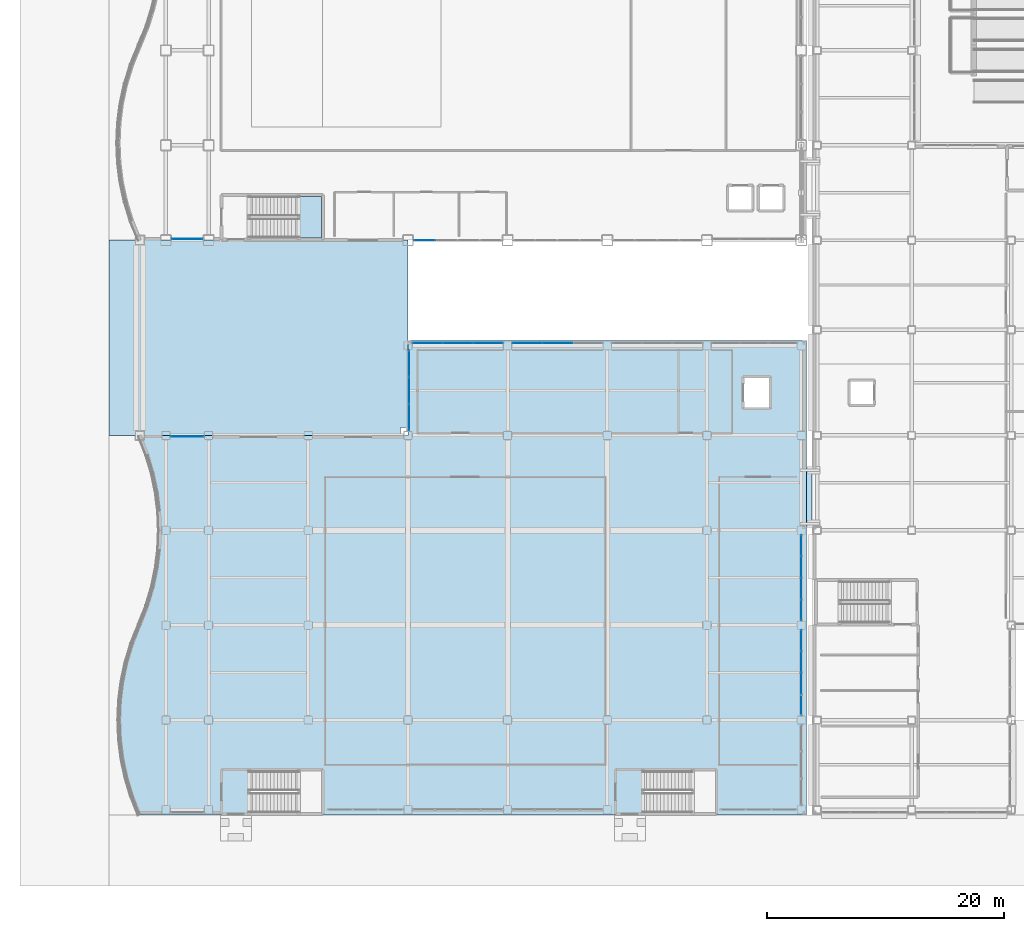
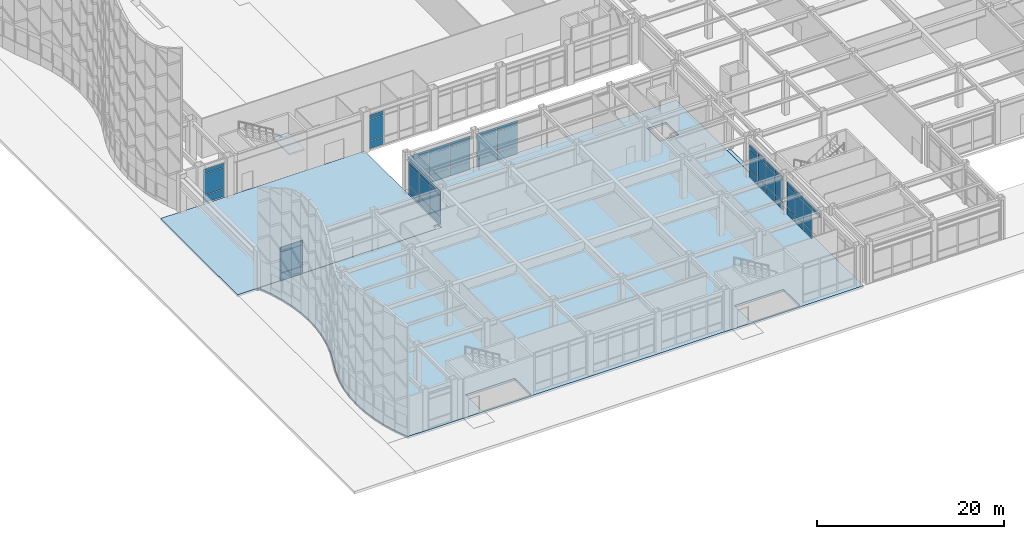
# One storey, part 110 of 165: 55 plates, 4 slabs, 9 elements without a shape of their own.
"""IFC4 building model written with IfcOpenShell, lengths in metres."""

from ifc_helpers import new_model, si_unit, direction, frame, origin, origin_2d, place, context, subcontext, project, spatial, polyline, rectangle, outline, extrude, material, layer, layer_set, type_object, element, aggregate, save


model = new_model("IFC4")

# Units and contexts
model_context = context("Model", 3, precision=1e-05, world=origin(), true_north=direction((0.0, 1.0)))
body_context = subcontext(model_context, "Body", "Model", "MODEL_VIEW")
ifc_project = project(units=[si_unit("LENGTHUNIT", "METRE"), si_unit("AREAUNIT", "SQUARE_METRE"), si_unit("VOLUMEUNIT", "CUBIC_METRE"), si_unit("PLANEANGLEUNIT", "RADIAN"), si_unit("MASSUNIT", "GRAM", prefix="KILO")], contexts=[model_context])

# Site, building, storey
site_placement = place(None, origin())
site = spatial("IfcSite", under=ifc_project, at=site_placement, CompositionType="ELEMENT")
building_placement = place(site_placement, origin())
building = spatial("IfcBuilding", under=site, at=building_placement, Name="Kazehara Bluff Congress Hotel", CompositionType="ELEMENT")
storey_placement = place(building_placement, origin())
storey = spatial("IfcBuildingStorey", under=building, at=storey_placement, Name="L00", CompositionType="ELEMENT", Elevation=0.0)

# Curtain wall, plates
ifc_material_1 = material(Name="Anodised aluminium", Category="aluminium")
ifc_layer_1 = layer(ifc_material_1, 0.159912109375)
ifc_layer_set_1 = layer_set([ifc_layer_1], Name="Anodised aluminium")
curtain_wall_type_1 = type_object("IfcCurtainWallType", Name="TP-CW-16", PredefinedType="NOTDEFINED", material=ifc_layer_set_1)
curtain_wall_1_placement = place(storey_placement, origin())
curtain_wall_1 = element("IfcCurtainWall", 1, at=curtain_wall_1_placement, inside=storey, type_object=curtain_wall_type_1, Name="L00 curtain wall CW-16 CW-V1-L00-Y4845-2565", PredefinedType="NOTDEFINED")
ifc_material_2 = material(Name="Insulated low-E double glazing", Category="glass")
ifc_layer_2 = layer(ifc_material_2, 0.031982421875)
ifc_layer_set_2 = layer_set([ifc_layer_2], Name="Insulated low-E double glazing")
plate_type = type_object("IfcPlateType", Name="TP-CWP-02", PredefinedType="CURTAIN_PANEL", material=ifc_layer_set_2)
plate_1_placement = place(storey_placement, frame((26.60498046875, 48.449951171875, 0.06494140625), z_axis=(0.0, 0.0, 1.0), x_axis=(1.0, 0.0, 0.0)))
plate_1 = element("IfcPlate", 2, at=plate_1_placement, type_object=plate_type, Name="CW-16 panel 1.1", PredefinedType="CURTAIN_PANEL", context=body_context, shape_type="SweptSolid", body=[
    extrude(rectangle(XDim=1.77001953125, YDim=0.031982421875, at=origin_2d()), origin(), (0.0, 0.0, 1.0), 0.952392578125),
])
plate_2_placement = place(storey_placement, frame((26.60498046875, 48.449951171875, 1.08251953125), z_axis=(0.0, 0.0, 1.0), x_axis=(1.0, 0.0, 0.0)))
plate_2 = element("IfcPlate", 3, at=plate_2_placement, type_object=plate_type, Name="CW-16 panel 1.2", PredefinedType="CURTAIN_PANEL", context=body_context, shape_type="SweptSolid", body=[
    extrude(rectangle(XDim=1.77001953125, YDim=0.031982421875, at=origin_2d()), origin(), (0.0, 0.0, 1.0), 2.760009765625),
])
plate_3_placement = place(storey_placement, frame((26.60498046875, 48.449951171875, 3.90771484375), z_axis=(0.0, 0.0, 1.0), x_axis=(1.0, 0.0, 0.0)))
plate_3 = element("IfcPlate", 4, at=plate_3_placement, type_object=plate_type, Name="CW-16 panel 1.3", PredefinedType="CURTAIN_PANEL", context=body_context, shape_type="SweptSolid", body=[
    extrude(rectangle(XDim=1.77001953125, YDim=0.031982421875, at=origin_2d()), origin(), (0.0, 0.0, 1.0), 0.552490234375),
])
aggregate(curtain_wall_1, [plate_1, plate_2, plate_3])

ifc_material_3 = material(Name="Anodised aluminium", Category="aluminium")
ifc_layer_3 = layer(ifc_material_3, 0.159912109375)
ifc_layer_set_3 = layer_set([ifc_layer_3], Name="Anodised aluminium")
curtain_wall_type_2 = type_object("IfcCurtainWallType", Name="TP-CW-32", PredefinedType="NOTDEFINED", material=ifc_layer_set_3)
curtain_wall_2_placement = place(storey_placement, origin())
curtain_wall_2 = element("IfcCurtainWall", 5, at=curtain_wall_2_placement, inside=storey, type_object=curtain_wall_type_2, Name="L00 curtain wall CW-32 CW-V2-L00-X5835-835", PredefinedType="NOTDEFINED")
plate_4_placement = place(storey_placement, frame((58.35009765625, 9.280029296875, 3.857421875), z_axis=(0.0, 0.0, 1.0), x_axis=(0.0, 1.0, 0.0)))
plate_4 = element("IfcPlate", 6, at=plate_4_placement, type_object=plate_type, Name="CW-32 panel 1.3", PredefinedType="CURTAIN_PANEL", context=body_context, shape_type="SweptSolid", body=[
    extrude(rectangle(XDim=1.719970703125, YDim=0.031982421875, at=origin_2d()), origin(), (0.0, 0.0, 1.0), 0.552490234375),
])
plate_5_placement = place(storey_placement, frame((58.35009765625, 11.08740234375, 0.06494140625), z_axis=(0.0, 0.0, 1.0), x_axis=(0.0, 1.0, 0.0)))
plate_5 = element("IfcPlate", 7, at=plate_5_placement, type_object=plate_type, Name="CW-32 panel 2.1", PredefinedType="CURTAIN_PANEL", context=body_context, shape_type="SweptSolid", body=[
    extrude(rectangle(XDim=1.7548828125, YDim=0.031982421875, at=origin_2d()), origin(), (0.0, 0.0, 1.0), 0.952392578125),
])
plate_6_placement = place(storey_placement, frame((58.35009765625, 11.08740234375, 1.08251953125), z_axis=(0.0, 0.0, 1.0), x_axis=(0.0, 1.0, 0.0)))
plate_6 = element("IfcPlate", 8, at=plate_6_placement, type_object=plate_type, Name="CW-32 panel 2.2", PredefinedType="CURTAIN_PANEL", context=body_context, shape_type="SweptSolid", body=[
    extrude(rectangle(XDim=1.7548828125, YDim=0.031982421875, at=origin_2d()), origin(), (0.0, 0.0, 1.0), 2.7099609375),
])
plate_7_placement = place(storey_placement, frame((58.35009765625, 11.08740234375, 3.857421875), z_axis=(0.0, 0.0, 1.0), x_axis=(0.0, 1.0, 0.0)))
plate_7 = element("IfcPlate", 9, at=plate_7_placement, type_object=plate_type, Name="CW-32 panel 2.3", PredefinedType="CURTAIN_PANEL", context=body_context, shape_type="SweptSolid", body=[
    extrude(rectangle(XDim=1.7548828125, YDim=0.031982421875, at=origin_2d()), origin(), (0.0, 0.0, 1.0), 0.552490234375),
])
plate_8_placement = place(storey_placement, frame((58.35009765625, 12.91259765625, 0.06494140625), z_axis=(0.0, 0.0, 1.0), x_axis=(0.0, 1.0, 0.0)))
plate_8 = element("IfcPlate", 10, at=plate_8_placement, type_object=plate_type, Name="CW-32 panel 3.1", PredefinedType="CURTAIN_PANEL", context=body_context, shape_type="SweptSolid", body=[
    extrude(rectangle(XDim=1.7548828125, YDim=0.031982421875, at=origin_2d()), origin(), (0.0, 0.0, 1.0), 0.952392578125),
])
plate_9_placement = place(storey_placement, frame((58.35009765625, 12.91259765625, 1.08251953125), z_axis=(0.0, 0.0, 1.0), x_axis=(0.0, 1.0, 0.0)))
plate_9 = element("IfcPlate", 11, at=plate_9_placement, type_object=plate_type, Name="CW-32 panel 3.2", PredefinedType="CURTAIN_PANEL", context=body_context, shape_type="SweptSolid", body=[
    extrude(rectangle(XDim=1.7548828125, YDim=0.031982421875, at=origin_2d()), origin(), (0.0, 0.0, 1.0), 2.7099609375),
])
plate_10_placement = place(storey_placement, frame((58.35009765625, 12.91259765625, 3.857421875), z_axis=(0.0, 0.0, 1.0), x_axis=(0.0, 1.0, 0.0)))
plate_10 = element("IfcPlate", 12, at=plate_10_placement, type_object=plate_type, Name="CW-32 panel 3.3", PredefinedType="CURTAIN_PANEL", context=body_context, shape_type="SweptSolid", body=[
    extrude(rectangle(XDim=1.7548828125, YDim=0.031982421875, at=origin_2d()), origin(), (0.0, 0.0, 1.0), 0.552490234375),
])
plate_11_placement = place(storey_placement, frame((58.35009765625, 14.719970703125, 0.06494140625), z_axis=(0.0, 0.0, 1.0), x_axis=(0.0, 1.0, 0.0)))
plate_11 = element("IfcPlate", 13, at=plate_11_placement, type_object=plate_type, Name="CW-32 panel 4.1", PredefinedType="CURTAIN_PANEL", context=body_context, shape_type="SweptSolid", body=[
    extrude(rectangle(XDim=1.719970703125, YDim=0.031982421875, at=origin_2d()), origin(), (0.0, 0.0, 1.0), 0.952392578125),
])
plate_12_placement = place(storey_placement, frame((58.35009765625, 14.719970703125, 1.08251953125), z_axis=(0.0, 0.0, 1.0), x_axis=(0.0, 1.0, 0.0)))
plate_12 = element("IfcPlate", 14, at=plate_12_placement, type_object=plate_type, Name="CW-32 panel 4.2", PredefinedType="CURTAIN_PANEL", context=body_context, shape_type="SweptSolid", body=[
    extrude(rectangle(XDim=1.719970703125, YDim=0.031982421875, at=origin_2d()), origin(), (0.0, 0.0, 1.0), 2.7099609375),
])
plate_13_placement = place(storey_placement, frame((58.35009765625, 14.719970703125, 3.857421875), z_axis=(0.0, 0.0, 1.0), x_axis=(0.0, 1.0, 0.0)))
plate_13 = element("IfcPlate", 15, at=plate_13_placement, type_object=plate_type, Name="CW-32 panel 4.3", PredefinedType="CURTAIN_PANEL", context=body_context, shape_type="SweptSolid", body=[
    extrude(rectangle(XDim=1.719970703125, YDim=0.031982421875, at=origin_2d()), origin(), (0.0, 0.0, 1.0), 0.552490234375),
])
aggregate(curtain_wall_2, [plate_4, plate_5, plate_6, plate_7, plate_8, plate_9, plate_10, plate_11, plate_12, plate_13])

curtain_wall_3_placement = place(storey_placement, origin())
curtain_wall_3 = element("IfcCurtainWall", 16, at=curtain_wall_3_placement, inside=storey, type_object=curtain_wall_type_2, Name="L00 curtain wall CW-32 CW-V2-L00-X5835-1635", PredefinedType="NOTDEFINED")
plate_14_placement = place(storey_placement, frame((58.35009765625, 17.280029296875, 0.06494140625), z_axis=(0.0, 0.0, 1.0), x_axis=(0.0, 1.0, 0.0)))
plate_14 = element("IfcPlate", 17, at=plate_14_placement, type_object=plate_type, Name="CW-32 panel 1.1", PredefinedType="CURTAIN_PANEL", context=body_context, shape_type="SweptSolid", body=[
    extrude(rectangle(XDim=1.719970703125, YDim=0.031982421875, at=origin_2d()), origin(), (0.0, 0.0, 1.0), 0.952392578125),
])
plate_15_placement = place(storey_placement, frame((58.35009765625, 17.280029296875, 1.08251953125), z_axis=(0.0, 0.0, 1.0), x_axis=(0.0, 1.0, 0.0)))
plate_15 = element("IfcPlate", 18, at=plate_15_placement, type_object=plate_type, Name="CW-32 panel 1.2", PredefinedType="CURTAIN_PANEL", context=body_context, shape_type="SweptSolid", body=[
    extrude(rectangle(XDim=1.719970703125, YDim=0.031982421875, at=origin_2d()), origin(), (0.0, 0.0, 1.0), 2.7099609375),
])
plate_16_placement = place(storey_placement, frame((58.35009765625, 17.280029296875, 3.857421875), z_axis=(0.0, 0.0, 1.0), x_axis=(0.0, 1.0, 0.0)))
plate_16 = element("IfcPlate", 19, at=plate_16_placement, type_object=plate_type, Name="CW-32 panel 1.3", PredefinedType="CURTAIN_PANEL", context=body_context, shape_type="SweptSolid", body=[
    extrude(rectangle(XDim=1.719970703125, YDim=0.031982421875, at=origin_2d()), origin(), (0.0, 0.0, 1.0), 0.552490234375),
])
plate_17_placement = place(storey_placement, frame((58.35009765625, 19.08740234375, 0.06494140625), z_axis=(0.0, 0.0, 1.0), x_axis=(0.0, 1.0, 0.0)))
plate_17 = element("IfcPlate", 20, at=plate_17_placement, type_object=plate_type, Name="CW-32 panel 2.1", PredefinedType="CURTAIN_PANEL", context=body_context, shape_type="SweptSolid", body=[
    extrude(rectangle(XDim=1.7548828125, YDim=0.031982421875, at=origin_2d()), origin(), (0.0, 0.0, 1.0), 0.952392578125),
])
plate_18_placement = place(storey_placement, frame((58.35009765625, 19.08740234375, 1.08251953125), z_axis=(0.0, 0.0, 1.0), x_axis=(0.0, 1.0, 0.0)))
plate_18 = element("IfcPlate", 21, at=plate_18_placement, type_object=plate_type, Name="CW-32 panel 2.2", PredefinedType="CURTAIN_PANEL", context=body_context, shape_type="SweptSolid", body=[
    extrude(rectangle(XDim=1.7548828125, YDim=0.031982421875, at=origin_2d()), origin(), (0.0, 0.0, 1.0), 2.7099609375),
])
plate_19_placement = place(storey_placement, frame((58.35009765625, 19.08740234375, 3.857421875), z_axis=(0.0, 0.0, 1.0), x_axis=(0.0, 1.0, 0.0)))
plate_19 = element("IfcPlate", 22, at=plate_19_placement, type_object=plate_type, Name="CW-32 panel 2.3", PredefinedType="CURTAIN_PANEL", context=body_context, shape_type="SweptSolid", body=[
    extrude(rectangle(XDim=1.7548828125, YDim=0.031982421875, at=origin_2d()), origin(), (0.0, 0.0, 1.0), 0.552490234375),
])
plate_20_placement = place(storey_placement, frame((58.35009765625, 20.91259765625, 0.06494140625), z_axis=(0.0, 0.0, 1.0), x_axis=(0.0, 1.0, 0.0)))
plate_20 = element("IfcPlate", 23, at=plate_20_placement, type_object=plate_type, Name="CW-32 panel 3.1", PredefinedType="CURTAIN_PANEL", context=body_context, shape_type="SweptSolid", body=[
    extrude(rectangle(XDim=1.7548828125, YDim=0.031982421875, at=origin_2d()), origin(), (0.0, 0.0, 1.0), 0.952392578125),
])
plate_21_placement = place(storey_placement, frame((58.35009765625, 20.91259765625, 1.08251953125), z_axis=(0.0, 0.0, 1.0), x_axis=(0.0, 1.0, 0.0)))
plate_21 = element("IfcPlate", 24, at=plate_21_placement, type_object=plate_type, Name="CW-32 panel 3.2", PredefinedType="CURTAIN_PANEL", context=body_context, shape_type="SweptSolid", body=[
    extrude(rectangle(XDim=1.7548828125, YDim=0.031982421875, at=origin_2d()), origin(), (0.0, 0.0, 1.0), 2.7099609375),
])
plate_22_placement = place(storey_placement, frame((58.35009765625, 20.91259765625, 3.857421875), z_axis=(0.0, 0.0, 1.0), x_axis=(0.0, 1.0, 0.0)))
plate_22 = element("IfcPlate", 25, at=plate_22_placement, type_object=plate_type, Name="CW-32 panel 3.3", PredefinedType="CURTAIN_PANEL", context=body_context, shape_type="SweptSolid", body=[
    extrude(rectangle(XDim=1.7548828125, YDim=0.031982421875, at=origin_2d()), origin(), (0.0, 0.0, 1.0), 0.552490234375),
])
plate_23_placement = place(storey_placement, frame((58.35009765625, 22.719970703125, 0.06494140625), z_axis=(0.0, 0.0, 1.0), x_axis=(0.0, 1.0, 0.0)))
plate_23 = element("IfcPlate", 26, at=plate_23_placement, type_object=plate_type, Name="CW-32 panel 4.1", PredefinedType="CURTAIN_PANEL", context=body_context, shape_type="SweptSolid", body=[
    extrude(rectangle(XDim=1.719970703125, YDim=0.031982421875, at=origin_2d()), origin(), (0.0, 0.0, 1.0), 0.952392578125),
])
plate_24_placement = place(storey_placement, frame((58.35009765625, 22.719970703125, 1.08251953125), z_axis=(0.0, 0.0, 1.0), x_axis=(0.0, 1.0, 0.0)))
plate_24 = element("IfcPlate", 27, at=plate_24_placement, type_object=plate_type, Name="CW-32 panel 4.2", PredefinedType="CURTAIN_PANEL", context=body_context, shape_type="SweptSolid", body=[
    extrude(rectangle(XDim=1.719970703125, YDim=0.031982421875, at=origin_2d()), origin(), (0.0, 0.0, 1.0), 2.7099609375),
])
plate_25_placement = place(storey_placement, frame((58.35009765625, 22.719970703125, 3.857421875), z_axis=(0.0, 0.0, 1.0), x_axis=(0.0, 1.0, 0.0)))
plate_25 = element("IfcPlate", 28, at=plate_25_placement, type_object=plate_type, Name="CW-32 panel 4.3", PredefinedType="CURTAIN_PANEL", context=body_context, shape_type="SweptSolid", body=[
    extrude(rectangle(XDim=1.719970703125, YDim=0.031982421875, at=origin_2d()), origin(), (0.0, 0.0, 1.0), 0.552490234375),
])
aggregate(curtain_wall_3, [plate_14, plate_15, plate_16, plate_17, plate_18, plate_19, plate_20, plate_21, plate_22, plate_23, plate_24, plate_25])

ifc_material_4 = material(Name="Anodised aluminium", Category="aluminium")
ifc_layer_4 = layer(ifc_material_4, 0.159912109375)
ifc_layer_set_4 = layer_set([ifc_layer_4], Name="Anodised aluminium")
curtain_wall_type_3 = type_object("IfcCurtainWallType", Name="TP-CW-95", PredefinedType="NOTDEFINED", material=ifc_layer_set_4)
curtain_wall_4_placement = place(storey_placement, origin())
curtain_wall_4 = element("IfcCurtainWall", 29, at=curtain_wall_4_placement, inside=storey, type_object=curtain_wall_type_3, Name="L00 curtain wall CW-95 CW-ENC-V1-L00-660-4855", PredefinedType="NOTDEFINED")
plate_26_placement = place(storey_placement, frame((6.60009765625, 48.550048828125, 0.06005859375), z_axis=(0.0, 0.0, 1.0), x_axis=(-1.0, 0.0, 0.0)))
plate_26 = element("IfcPlate", 30, at=plate_26_placement, type_object=plate_type, Name="CW-95 panel 1.1", PredefinedType="CURTAIN_PANEL", context=body_context, shape_type="SweptSolid", body=[
    extrude(rectangle(XDim=2.56005859375, YDim=0.031982421875, at=origin_2d()), origin(), (0.0, 0.0, 1.0), 0.9599609375),
])
plate_27_placement = place(storey_placement, frame((6.60009765625, 48.550048828125, 1.080078125), z_axis=(0.0, 0.0, 1.0), x_axis=(-1.0, 0.0, 0.0)))
plate_27 = element("IfcPlate", 31, at=plate_27_placement, type_object=plate_type, Name="CW-95 panel 1.2", PredefinedType="CURTAIN_PANEL", context=body_context, shape_type="SweptSolid", body=[
    extrude(rectangle(XDim=2.56005859375, YDim=0.031982421875, at=origin_2d()), origin(), (0.0, 0.0, 1.0), 2.764892578125),
])
plate_28_placement = place(storey_placement, frame((6.60009765625, 48.550048828125, 3.905029296875), z_axis=(0.0, 0.0, 1.0), x_axis=(-1.0, 0.0, 0.0)))
plate_28 = element("IfcPlate", 32, at=plate_28_placement, type_object=plate_type, Name="CW-95 panel 1.3", PredefinedType="CURTAIN_PANEL", context=body_context, shape_type="SweptSolid", body=[
    extrude(rectangle(XDim=2.56005859375, YDim=0.031982421875, at=origin_2d()), origin(), (0.0, 0.0, 1.0), 0.56005859375),
])
aggregate(curtain_wall_4, [plate_26, plate_27, plate_28])

ifc_material_5 = material(Name="Anodised aluminium", Category="aluminium")
ifc_layer_5 = layer(ifc_material_5, 0.159912109375)
ifc_layer_set_5 = layer_set([ifc_layer_5], Name="Anodised aluminium")
curtain_wall_type_4 = type_object("IfcCurtainWallType", Name="TP-CW-26", PredefinedType="NOTDEFINED", material=ifc_layer_set_5)
curtain_wall_5_placement = place(storey_placement, origin())
curtain_wall_5 = element("IfcCurtainWall", 33, at=curtain_wall_5_placement, inside=storey, type_object=curtain_wall_type_4, Name="L00 curtain wall CW-26 CW-ENC-V2-L00-2940-3978", PredefinedType="NOTDEFINED")
plate_29_placement = place(storey_placement, frame((26.850830078125, 39.780029296875, 0.06494140625), z_axis=(0.0, 0.0, 1.0), x_axis=(1.0, 0.0, 0.0)))
plate_29 = element("IfcPlate", 34, at=plate_29_placement, type_object=plate_type, Name="CW-26 panel 1.1", PredefinedType="CURTAIN_PANEL", context=body_context, shape_type="SweptSolid", body=[
    extrude(rectangle(XDim=2.461669921875, YDim=0.031982421875, at=origin_2d()), origin(), (0.0, 0.0, 1.0), 0.952392578125),
])
plate_30_placement = place(storey_placement, frame((26.850830078125, 39.780029296875, 1.08251953125), z_axis=(0.0, 0.0, 1.0), x_axis=(1.0, 0.0, 0.0)))
plate_30 = element("IfcPlate", 35, at=plate_30_placement, type_object=plate_type, Name="CW-26 panel 1.2", PredefinedType="CURTAIN_PANEL", context=body_context, shape_type="SweptSolid", body=[
    extrude(rectangle(XDim=2.461669921875, YDim=0.031982421875, at=origin_2d()), origin(), (0.0, 0.0, 1.0), 2.7099609375),
])
plate_31_placement = place(storey_placement, frame((26.850830078125, 39.780029296875, 3.857421875), z_axis=(0.0, 0.0, 1.0), x_axis=(1.0, 0.0, 0.0)))
plate_31 = element("IfcPlate", 36, at=plate_31_placement, type_object=plate_type, Name="CW-26 panel 1.3", PredefinedType="CURTAIN_PANEL", context=body_context, shape_type="SweptSolid", body=[
    extrude(rectangle(XDim=2.461669921875, YDim=0.031982421875, at=origin_2d()), origin(), (0.0, 0.0, 1.0), 0.552490234375),
])
plate_32_placement = place(storey_placement, frame((29.39990234375, 39.780029296875, 0.06494140625), z_axis=(0.0, 0.0, 1.0), x_axis=(1.0, 0.0, 0.0)))
plate_32 = element("IfcPlate", 37, at=plate_32_placement, type_object=plate_type, Name="CW-26 panel 2.1", PredefinedType="CURTAIN_PANEL", context=body_context, shape_type="SweptSolid", body=[
    extrude(rectangle(XDim=2.49658203125, YDim=0.031982421875, at=origin_2d()), origin(), (0.0, 0.0, 1.0), 0.952392578125),
])
plate_33_placement = place(storey_placement, frame((29.39990234375, 39.780029296875, 1.08251953125), z_axis=(0.0, 0.0, 1.0), x_axis=(1.0, 0.0, 0.0)))
plate_33 = element("IfcPlate", 38, at=plate_33_placement, type_object=plate_type, Name="CW-26 panel 2.2", PredefinedType="CURTAIN_PANEL", context=body_context, shape_type="SweptSolid", body=[
    extrude(rectangle(XDim=2.49658203125, YDim=0.031982421875, at=origin_2d()), origin(), (0.0, 0.0, 1.0), 2.7099609375),
])
plate_34_placement = place(storey_placement, frame((29.39990234375, 39.780029296875, 3.857421875), z_axis=(0.0, 0.0, 1.0), x_axis=(1.0, 0.0, 0.0)))
plate_34 = element("IfcPlate", 39, at=plate_34_placement, type_object=plate_type, Name="CW-26 panel 2.3", PredefinedType="CURTAIN_PANEL", context=body_context, shape_type="SweptSolid", body=[
    extrude(rectangle(XDim=2.49658203125, YDim=0.031982421875, at=origin_2d()), origin(), (0.0, 0.0, 1.0), 0.552490234375),
])
plate_35_placement = place(storey_placement, frame((31.94921875, 39.780029296875, 0.06494140625), z_axis=(0.0, 0.0, 1.0), x_axis=(1.0, 0.0, 0.0)))
plate_35 = element("IfcPlate", 40, at=plate_35_placement, type_object=plate_type, Name="CW-26 panel 3.1", PredefinedType="CURTAIN_PANEL", context=body_context, shape_type="SweptSolid", body=[
    extrude(rectangle(XDim=2.461669921875, YDim=0.031982421875, at=origin_2d()), origin(), (0.0, 0.0, 1.0), 0.952392578125),
])
plate_36_placement = place(storey_placement, frame((31.94921875, 39.780029296875, 1.08251953125), z_axis=(0.0, 0.0, 1.0), x_axis=(1.0, 0.0, 0.0)))
plate_36 = element("IfcPlate", 41, at=plate_36_placement, type_object=plate_type, Name="CW-26 panel 3.2", PredefinedType="CURTAIN_PANEL", context=body_context, shape_type="SweptSolid", body=[
    extrude(rectangle(XDim=2.461669921875, YDim=0.031982421875, at=origin_2d()), origin(), (0.0, 0.0, 1.0), 2.7099609375),
])
plate_37_placement = place(storey_placement, frame((31.94921875, 39.780029296875, 3.857421875), z_axis=(0.0, 0.0, 1.0), x_axis=(1.0, 0.0, 0.0)))
plate_37 = element("IfcPlate", 42, at=plate_37_placement, type_object=plate_type, Name="CW-26 panel 3.3", PredefinedType="CURTAIN_PANEL", context=body_context, shape_type="SweptSolid", body=[
    extrude(rectangle(XDim=2.461669921875, YDim=0.031982421875, at=origin_2d()), origin(), (0.0, 0.0, 1.0), 0.552490234375),
])
aggregate(curtain_wall_5, [plate_29, plate_30, plate_31, plate_32, plate_33, plate_34, plate_35, plate_36, plate_37])

curtain_wall_6_placement = place(storey_placement, origin())
curtain_wall_6 = element("IfcCurtainWall", 43, at=curtain_wall_6_placement, inside=storey, type_object=curtain_wall_type_4, Name="L00 curtain wall CW-26 CW-ENC-V2-L00-3780-3978", PredefinedType="NOTDEFINED")
plate_38_placement = place(storey_placement, frame((35.250732421875, 39.780029296875, 0.06494140625), z_axis=(0.0, 0.0, 1.0), x_axis=(1.0, 0.0, 0.0)))
plate_38 = element("IfcPlate", 44, at=plate_38_placement, type_object=plate_type, Name="CW-26 panel 1.1", PredefinedType="CURTAIN_PANEL", context=body_context, shape_type="SweptSolid", body=[
    extrude(rectangle(XDim=2.461669921875, YDim=0.031982421875, at=origin_2d()), origin(), (0.0, 0.0, 1.0), 0.952392578125),
])
plate_39_placement = place(storey_placement, frame((35.250732421875, 39.780029296875, 1.08251953125), z_axis=(0.0, 0.0, 1.0), x_axis=(1.0, 0.0, 0.0)))
plate_39 = element("IfcPlate", 45, at=plate_39_placement, type_object=plate_type, Name="CW-26 panel 1.2", PredefinedType="CURTAIN_PANEL", context=body_context, shape_type="SweptSolid", body=[
    extrude(rectangle(XDim=2.461669921875, YDim=0.031982421875, at=origin_2d()), origin(), (0.0, 0.0, 1.0), 2.7099609375),
])
plate_40_placement = place(storey_placement, frame((35.250732421875, 39.780029296875, 3.857421875), z_axis=(0.0, 0.0, 1.0), x_axis=(1.0, 0.0, 0.0)))
plate_40 = element("IfcPlate", 46, at=plate_40_placement, type_object=plate_type, Name="CW-26 panel 1.3", PredefinedType="CURTAIN_PANEL", context=body_context, shape_type="SweptSolid", body=[
    extrude(rectangle(XDim=2.461669921875, YDim=0.031982421875, at=origin_2d()), origin(), (0.0, 0.0, 1.0), 0.552490234375),
])
plate_41_placement = place(storey_placement, frame((37.800048828125, 39.780029296875, 0.06494140625), z_axis=(0.0, 0.0, 1.0), x_axis=(1.0, 0.0, 0.0)))
plate_41 = element("IfcPlate", 47, at=plate_41_placement, type_object=plate_type, Name="CW-26 panel 2.1", PredefinedType="CURTAIN_PANEL", context=body_context, shape_type="SweptSolid", body=[
    extrude(rectangle(XDim=2.49658203125, YDim=0.031982421875, at=origin_2d()), origin(), (0.0, 0.0, 1.0), 0.952392578125),
])
plate_42_placement = place(storey_placement, frame((37.800048828125, 39.780029296875, 1.08251953125), z_axis=(0.0, 0.0, 1.0), x_axis=(1.0, 0.0, 0.0)))
plate_42 = element("IfcPlate", 48, at=plate_42_placement, type_object=plate_type, Name="CW-26 panel 2.2", PredefinedType="CURTAIN_PANEL", context=body_context, shape_type="SweptSolid", body=[
    extrude(rectangle(XDim=2.49658203125, YDim=0.031982421875, at=origin_2d()), origin(), (0.0, 0.0, 1.0), 2.7099609375),
])
plate_43_placement = place(storey_placement, frame((37.800048828125, 39.780029296875, 3.857421875), z_axis=(0.0, 0.0, 1.0), x_axis=(1.0, 0.0, 0.0)))
plate_43 = element("IfcPlate", 49, at=plate_43_placement, type_object=plate_type, Name="CW-26 panel 2.3", PredefinedType="CURTAIN_PANEL", context=body_context, shape_type="SweptSolid", body=[
    extrude(rectangle(XDim=2.49658203125, YDim=0.031982421875, at=origin_2d()), origin(), (0.0, 0.0, 1.0), 0.552490234375),
])
aggregate(curtain_wall_6, [plate_38, plate_39, plate_40, plate_41, plate_42, plate_43])

ifc_material_6 = material(Name="Anodised aluminium", Category="aluminium")
ifc_layer_6 = layer(ifc_material_6, 0.159912109375)
ifc_layer_set_6 = layer_set([ifc_layer_6], Name="Anodised aluminium")
curtain_wall_type_5 = type_object("IfcCurtainWallType", Name="TP-CW-31", PredefinedType="NOTDEFINED", material=ifc_layer_set_6)
curtain_wall_7_placement = place(storey_placement, origin())
curtain_wall_7 = element("IfcCurtainWall", 50, at=curtain_wall_7_placement, inside=storey, type_object=curtain_wall_type_5, Name="L00 curtain wall CW-31 CW-ENC-V2-L00-2530-3578", PredefinedType="NOTDEFINED")
plate_44_placement = place(storey_placement, frame((25.300048828125, 33.50927734375, 0.06494140625), z_axis=(0.0, 0.0, 1.0), x_axis=(0.0, 1.0, 0.0)))
plate_44 = element("IfcPlate", 51, at=plate_44_placement, type_object=plate_type, Name="CW-31 panel 1.1", PredefinedType="CURTAIN_PANEL", context=body_context, shape_type="SweptSolid", body=[
    extrude(rectangle(XDim=2.17822265625, YDim=0.031982421875, at=origin_2d()), origin(), (0.0, 0.0, 1.0), 0.952392578125),
])
plate_45_placement = place(storey_placement, frame((25.300048828125, 33.50927734375, 1.08251953125), z_axis=(0.0, 0.0, 1.0), x_axis=(0.0, 1.0, 0.0)))
plate_45 = element("IfcPlate", 52, at=plate_45_placement, type_object=plate_type, Name="CW-31 panel 1.2", PredefinedType="CURTAIN_PANEL", context=body_context, shape_type="SweptSolid", body=[
    extrude(rectangle(XDim=2.17822265625, YDim=0.031982421875, at=origin_2d()), origin(), (0.0, 0.0, 1.0), 2.7099609375),
])
plate_46_placement = place(storey_placement, frame((25.300048828125, 33.50927734375, 3.857421875), z_axis=(0.0, 0.0, 1.0), x_axis=(0.0, 1.0, 0.0)))
plate_46 = element("IfcPlate", 53, at=plate_46_placement, type_object=plate_type, Name="CW-31 panel 1.3", PredefinedType="CURTAIN_PANEL", context=body_context, shape_type="SweptSolid", body=[
    extrude(rectangle(XDim=2.17822265625, YDim=0.031982421875, at=origin_2d()), origin(), (0.0, 0.0, 1.0), 0.552490234375),
])
plate_47_placement = place(storey_placement, frame((25.300048828125, 35.77490234375, 0.06494140625), z_axis=(0.0, 0.0, 1.0), x_axis=(0.0, 1.0, 0.0)))
plate_47 = element("IfcPlate", 54, at=plate_47_placement, type_object=plate_type, Name="CW-31 panel 2.1", PredefinedType="CURTAIN_PANEL", context=body_context, shape_type="SweptSolid", body=[
    extrude(rectangle(XDim=2.21337890625, YDim=0.031982421875, at=origin_2d()), origin(), (0.0, 0.0, 1.0), 0.952392578125),
])
plate_48_placement = place(storey_placement, frame((25.300048828125, 35.77490234375, 1.08251953125), z_axis=(0.0, 0.0, 1.0), x_axis=(0.0, 1.0, 0.0)))
plate_48 = element("IfcPlate", 55, at=plate_48_placement, type_object=plate_type, Name="CW-31 panel 2.2", PredefinedType="CURTAIN_PANEL", context=body_context, shape_type="SweptSolid", body=[
    extrude(rectangle(XDim=2.21337890625, YDim=0.031982421875, at=origin_2d()), origin(), (0.0, 0.0, 1.0), 2.7099609375),
])
plate_49_placement = place(storey_placement, frame((25.300048828125, 35.77490234375, 3.857421875), z_axis=(0.0, 0.0, 1.0), x_axis=(0.0, 1.0, 0.0)))
plate_49 = element("IfcPlate", 56, at=plate_49_placement, type_object=plate_type, Name="CW-31 panel 2.3", PredefinedType="CURTAIN_PANEL", context=body_context, shape_type="SweptSolid", body=[
    extrude(rectangle(XDim=2.21337890625, YDim=0.031982421875, at=origin_2d()), origin(), (0.0, 0.0, 1.0), 0.552490234375),
])
plate_50_placement = place(storey_placement, frame((25.300048828125, 38.040771484375, 0.06494140625), z_axis=(0.0, 0.0, 1.0), x_axis=(0.0, 1.0, 0.0)))
plate_50 = element("IfcPlate", 57, at=plate_50_placement, type_object=plate_type, Name="CW-31 panel 3.1", PredefinedType="CURTAIN_PANEL", context=body_context, shape_type="SweptSolid", body=[
    extrude(rectangle(XDim=2.17822265625, YDim=0.031982421875, at=origin_2d()), origin(), (0.0, 0.0, 1.0), 0.952392578125),
])
plate_51_placement = place(storey_placement, frame((25.300048828125, 38.040771484375, 1.08251953125), z_axis=(0.0, 0.0, 1.0), x_axis=(0.0, 1.0, 0.0)))
plate_51 = element("IfcPlate", 58, at=plate_51_placement, type_object=plate_type, Name="CW-31 panel 3.2", PredefinedType="CURTAIN_PANEL", context=body_context, shape_type="SweptSolid", body=[
    extrude(rectangle(XDim=2.17822265625, YDim=0.031982421875, at=origin_2d()), origin(), (0.0, 0.0, 1.0), 2.7099609375),
])
plate_52_placement = place(storey_placement, frame((25.300048828125, 38.040771484375, 3.857421875), z_axis=(0.0, 0.0, 1.0), x_axis=(0.0, 1.0, 0.0)))
plate_52 = element("IfcPlate", 59, at=plate_52_placement, type_object=plate_type, Name="CW-31 panel 3.3", PredefinedType="CURTAIN_PANEL", context=body_context, shape_type="SweptSolid", body=[
    extrude(rectangle(XDim=2.17822265625, YDim=0.031982421875, at=origin_2d()), origin(), (0.0, 0.0, 1.0), 0.552490234375),
])
aggregate(curtain_wall_7, [plate_44, plate_45, plate_46, plate_47, plate_48, plate_49, plate_50, plate_51, plate_52])

ifc_material_7 = material(Name="Anodised aluminium", Category="aluminium")
ifc_layer_7 = layer(ifc_material_7, 0.159912109375)
ifc_layer_set_7 = layer_set([ifc_layer_7], Name="Anodised aluminium")
curtain_wall_type_6 = type_object("IfcCurtainWallType", Name="TP-CW-97", PredefinedType="NOTDEFINED", material=ifc_layer_set_7)
curtain_wall_8_placement = place(storey_placement, origin())
curtain_wall_8 = element("IfcCurtainWall", 60, at=curtain_wall_8_placement, inside=storey, type_object=curtain_wall_type_6, Name="L00 curtain wall CW-97 CW-ENC-V2-L00-660-3190", PredefinedType="NOTDEFINED")
plate_53_placement = place(storey_placement, frame((6.60009765625, 31.89990234375, 0.06005859375), z_axis=(0.0, 0.0, 1.0), x_axis=(1.0, 0.0, 0.0)))
plate_53 = element("IfcPlate", 61, at=plate_53_placement, type_object=plate_type, Name="CW-97 panel 1.1", PredefinedType="CURTAIN_PANEL", context=body_context, shape_type="SweptSolid", body=[
    extrude(rectangle(XDim=2.760009765625, YDim=0.031982421875, at=origin_2d()), origin(), (0.0, 0.0, 1.0), 0.9599609375),
])
plate_54_placement = place(storey_placement, frame((6.60009765625, 31.89990234375, 1.080078125), z_axis=(0.0, 0.0, 1.0), x_axis=(1.0, 0.0, 0.0)))
plate_54 = element("IfcPlate", 62, at=plate_54_placement, type_object=plate_type, Name="CW-97 panel 1.2", PredefinedType="CURTAIN_PANEL", context=body_context, shape_type="SweptSolid", body=[
    extrude(rectangle(XDim=2.760009765625, YDim=0.031982421875, at=origin_2d()), origin(), (0.0, 0.0, 1.0), 2.715087890625),
])
plate_55_placement = place(storey_placement, frame((6.60009765625, 31.89990234375, 3.85498046875), z_axis=(0.0, 0.0, 1.0), x_axis=(1.0, 0.0, 0.0)))
plate_55 = element("IfcPlate", 63, at=plate_55_placement, type_object=plate_type, Name="CW-97 panel 1.3", PredefinedType="CURTAIN_PANEL", context=body_context, shape_type="SweptSolid", body=[
    extrude(rectangle(XDim=2.760009765625, YDim=0.031982421875, at=origin_2d()), origin(), (0.0, 0.0, 1.0), 0.56005859375),
])
aggregate(curtain_wall_8, [plate_53, plate_54, plate_55])

# Slabs
ifc_material_8 = material(Name="Concrete C36/45", Category="concrete")
ifc_layer_8 = layer(ifc_material_8, 0.280029296875)
ifc_layer_set_8 = layer_set([ifc_layer_8], Name="Concrete C36/45")
slab_type_1 = type_object("IfcSlabType", Name="TP-SL-280", PredefinedType="FLOOR", material=ifc_layer_set_8)
slab_1_placement = place(storey_placement, frame((0.0, 0.0, -0.280029296875)))
element("IfcSlab", 64, at=slab_1_placement, inside=storey, type_object=slab_type_1, Name="L00 V2 composite floor slab", PredefinedType="FLOOR", context=body_context, shape_type="SweptSolid", body=[
    extrude(outline(polyline([(58.800048828125, 0.0), (58.800048828125, 40.0), (25.199951171875, 40.0), (25.199951171875, 32.0), (2.60009765625, 32.0), (3.235107421875, 30.39990234375), (3.715087890625, 28.800048828125), (4.050048828125, 27.199951171875), (4.25, 25.60009765625), (4.31494140625, 24.0), (4.25, 22.39990234375), (4.050048828125, 20.800048828125), (3.715087890625, 19.199951171875), (3.235107421875, 17.60009765625), (2.60009765625, 16.0), (1.965087890625, 14.39990234375), (1.485107421875, 12.800048828125), (1.14990234375, 11.199951171875), (0.949951171875, 9.60009765625), (0.885009765625, 8.0), (0.949951171875, 6.39990234375), (1.14990234375, 4.800048828125), (1.485107421875, 3.199951171875), (1.965087890625, 1.60009765625), (2.60009765625, 0.0), (58.800048828125, 0.0)]), holes=[polyline([(11.824951171875, 0.199951171875), (17.89990234375, 0.199951171875), (17.89990234375, 3.699951171875), (11.824951171875, 3.699951171875), (11.824951171875, 0.199951171875)]), polyline([(45.02490234375, 0.199951171875), (51.10009765625, 0.199951171875), (51.10009765625, 3.699951171875), (45.02490234375, 3.699951171875), (45.02490234375, 0.199951171875)]), polyline([(53.449951171875, 34.25), (55.75, 34.25), (55.75, 36.949951171875), (53.449951171875, 36.949951171875), (53.449951171875, 34.25)])]), origin(), (0.0, 0.0, 1.0), 0.280029296875),
])
slab_2_placement = place(storey_placement, frame((0.0, 0.0, -0.280029296875)))
element("IfcSlab", 65, at=slab_2_placement, inside=storey, type_object=slab_type_1, Name="Seismic-joint bridge deck BRG-24 L00", PredefinedType="FLOOR", context=body_context, shape_type="SweptSolid", body=[
    extrude(outline(polyline([(58.81005859375, 24.39990234375), (59.239990234375, 24.39990234375), (59.239990234375, 28.800048828125), (59.139892578125, 29.199951171875), (58.81005859375, 29.199951171875), (58.81005859375, 24.39990234375)])), origin(), (0.0, 0.0, 1.0), 0.280029296875),
])
ifc_material_9 = material(Name="Concrete C36/45", Category="concrete")
ifc_layer_9 = layer(ifc_material_9, 0.260009765625)
ifc_layer_set_9 = layer_set([ifc_layer_9], Name="Concrete C36/45")
slab_type_2 = type_object("IfcSlabType", Name="TP-SL-GND", PredefinedType="FLOOR", material=ifc_layer_set_9)
slab_3_placement = place(storey_placement, frame((0.0, 0.0, -0.260009765625)))
element("IfcSlab", 66, at=slab_3_placement, inside=storey, type_object=slab_type_2, Name="Western arrival forecourt plaza", PredefinedType="FLOOR", context=body_context, shape_type="SweptSolid", body=[
    extrude(outline(polyline([(0.0, 32.0), (24.550048828125, 32.0), (24.550048828125, 32.64990234375), (25.199951171875, 32.64990234375), (25.199951171875, 48.449951171875), (0.0, 48.449951171875), (0.0, 32.0)])), origin(), (0.0, 0.0, 1.0), 0.260009765625),
])

# Stair, slab
ifc_material_10 = material(Name="Concrete C36/45", Category="concrete")
stair_type = type_object("IfcStairType", Name="TP-ST-T01", PredefinedType="HALF_TURN_STAIR", material=ifc_material_10)
stair_placement = place(storey_placement, origin())
stair = element("IfcStair", 67, at=stair_placement, inside=storey, type_object=stair_type, Name="L00 Escape stair ST-03", PredefinedType="HALF_TURN_STAIR")
ifc_material_11 = material(Name="Concrete C36/45", Category="concrete")
ifc_layer_10 = layer(ifc_material_11, 0.199951171875)
ifc_layer_set_10 = layer_set([ifc_layer_10], Name="Concrete C36/45")
slab_type_3 = type_object("IfcSlabType", Name="TP-SLD-200", PredefinedType="LANDING", material=ifc_layer_set_10)
slab_4_placement = place(storey_placement, frame((0.0, 0.0, 2.5)))
slab_4 = element("IfcSlab", 68, at=slab_4_placement, type_object=slab_type_3, Name="ST-03 landing 1", PredefinedType="LANDING", context=body_context, shape_type="SweptSolid", body=[
    extrude(outline(polyline([(16.0, 48.64990234375), (17.89990234375, 48.64990234375), (17.89990234375, 52.14990234375), (16.0, 52.14990234375), (16.0, 48.64990234375)])), origin(), (0.0, 0.0, 1.0), 0.199951171875),
])
aggregate(stair, [slab_4])

save(model, "model.ifc")
